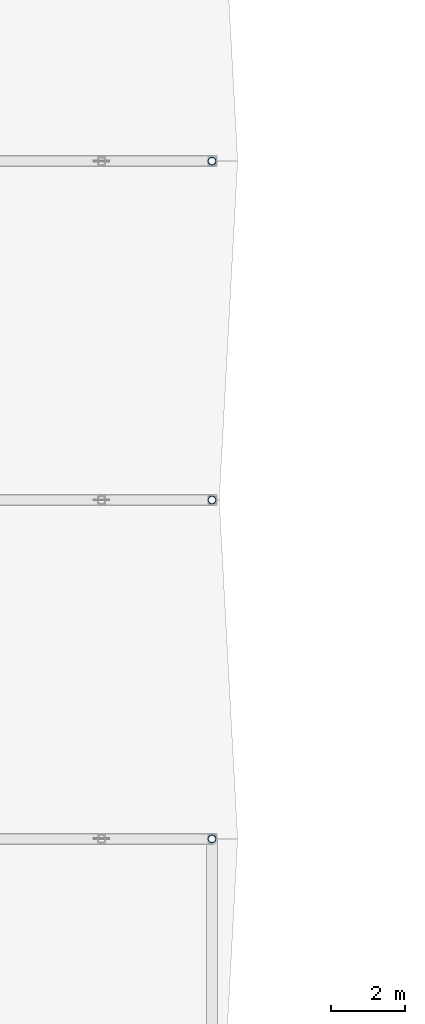
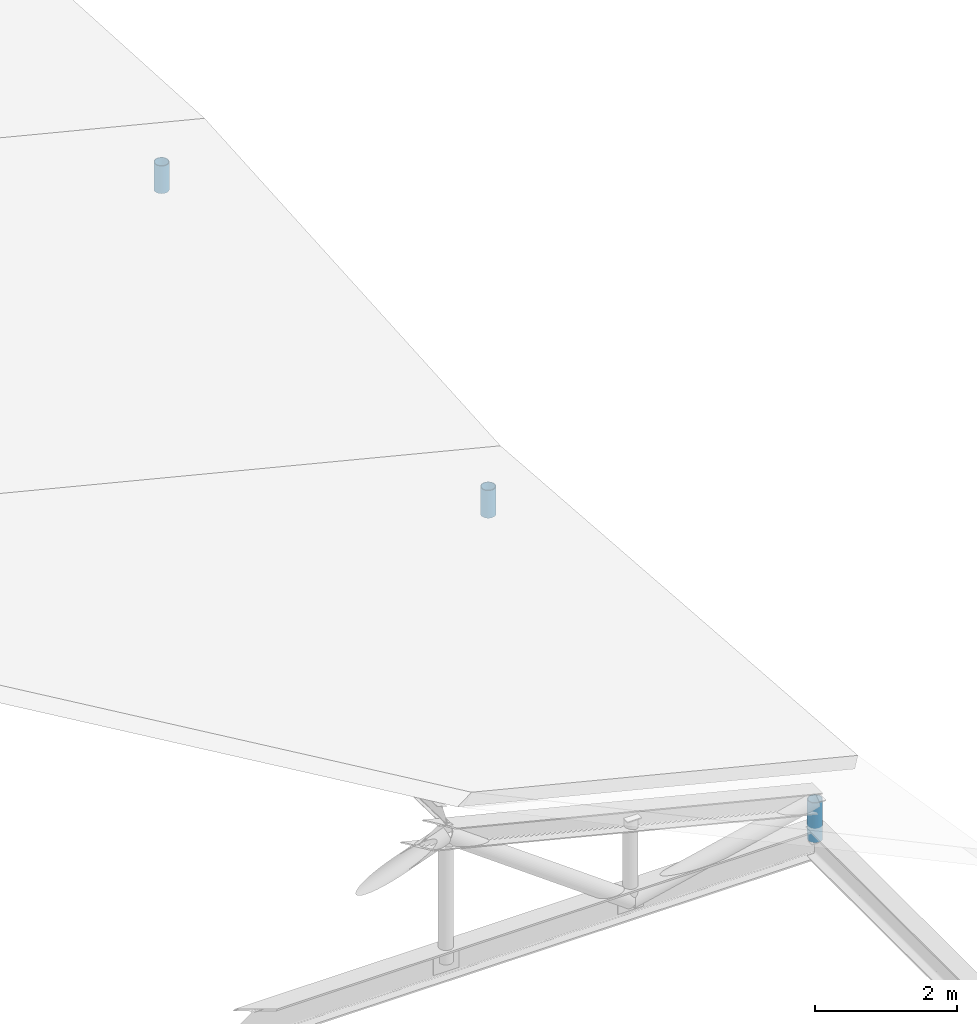
# One storey, part 31 of 61: 3 members.
"""IFC4 building model written with IfcOpenShell, lengths in metres."""

import ifcopenshell
import ifcopenshell.guid

model = None  # the IFC model being written
_history = None  # IfcOwnerHistory: only IFC2X3 demands one
_inside = {}  # id of a spatial element -> (the spatial element, [elements in it])
_under = {}  # id of a project, library or spatial element -> (it, [spatial elements below it])
_declared = {}  # id of a project -> (the project, [libraries it declares])
_typed = {}  # id of a type object -> (the type object, [elements of that type])
_made_of = {}  # id of a material, layer set ... -> (it, [elements and type objects made of it])


def new_model(schema):
    """Start an empty IFC model of exactly this schema.

    Asked for "IFC4X3", IfcOpenShell would pick the latest addendum, in which some entities
    have other attributes; the version numbers below select the first issue.
    IFC2X3 requires an IfcOwnerHistory on every rooted entity: one is made here for all.
    """
    global model, _history
    if schema == "IFC4X3":
        model = ifcopenshell.file(schema_version=(4, 3, 0, 0))
    else:
        model = ifcopenshell.file(schema=schema)
    _inside.clear()
    _under.clear()
    _declared.clear()
    _typed.clear()
    _made_of.clear()
    _history = None
    if model.schema == "IFC2X3":
        org = make("IfcOrganization", Name="unknown")
        user = make(
            "IfcPersonAndOrganization",
            ThePerson=make("IfcPerson", FamilyName="unknown"),
            TheOrganization=org,
        )
        app = make(
            "IfcApplication",
            ApplicationDeveloper=org,
            Version="unknown",
            ApplicationFullName="unknown",
            ApplicationIdentifier="unknown",
        )
        _history = make(
            "IfcOwnerHistory",
            OwningUser=user,
            OwningApplication=app,
            ChangeAction="ADDED",
            CreationDate=0,
        )
    return model


def make(cls, **values):
    """One entity of the class cls with the attributes given. An attribute that is None is left unset."""
    return model.create_entity(
        cls, **{name: value for name, value in values.items() if value is not None}
    )


def rooted(cls, **values):
    """An entity with a GlobalId (a new one), such as an element, a storey or a relation."""
    return make(cls, GlobalId=ifcopenshell.guid.new(), OwnerHistory=_history, **values)


def si_unit(unit_type, name, prefix=None):
    """IfcSIUnit, for example si_unit("LENGTHUNIT", "METRE", prefix="MILLI")."""
    return make("IfcSIUnit", UnitType=unit_type, Prefix=prefix, Name=name)


def assignment(units):
    """IfcUnitAssignment: the units of a project."""
    return None if units is None else make("IfcUnitAssignment", Units=units)


def point(xyz):
    """IfcCartesianPoint."""
    return None if xyz is None else make("IfcCartesianPoint", Coordinates=xyz)


def direction(xyz):
    """IfcDirection."""
    return None if xyz is None else make("IfcDirection", DirectionRatios=xyz)


def frame(location, z_axis=None, x_axis=None):
    """IfcAxis2Placement3D, a coordinate frame: its origin and axes. An axis left out is left unset."""
    return make(
        "IfcAxis2Placement3D",
        Location=point(location),
        Axis=direction(z_axis),
        RefDirection=direction(x_axis),
    )


def frame_2d(location, x_axis=None):
    """IfcAxis2Placement2D, a coordinate frame in the plane: its origin and x axis."""
    return make(
        "IfcAxis2Placement2D", Location=point(location), RefDirection=direction(x_axis)
    )


def origin():
    """The frame at (0, 0, 0) with its axes left unset."""
    return frame((0.0, 0.0, 0.0))


def origin_2d():
    """The frame at (0, 0) in the plane with its x axis left unset."""
    return frame_2d((0.0, 0.0))


def place(relative_to, where):
    """IfcLocalPlacement: puts the frame where relative to a parent placement (None: the world)."""
    return make(
        "IfcLocalPlacement", PlacementRelTo=relative_to, RelativePlacement=where
    )


def context(
    kind, dimensions, precision=None, world=None, true_north=None, identifier=None
):
    """IfcGeometricRepresentationContext, for example the 3D "Model" context."""
    return make(
        "IfcGeometricRepresentationContext",
        ContextIdentifier=identifier,
        ContextType=kind,
        CoordinateSpaceDimension=dimensions,
        Precision=precision,
        WorldCoordinateSystem=world,
        TrueNorth=true_north,
    )


def subcontext(parent, identifier, kind, view, scale=None):
    """IfcGeometricRepresentationSubContext, for example "Body" below "Model"."""
    return make(
        "IfcGeometricRepresentationSubContext",
        ContextIdentifier=identifier,
        ContextType=kind,
        ParentContext=parent,
        TargetScale=scale,
        TargetView=view,
    )


def project(units=None, contexts=None):
    """IfcProject with its units and contexts."""
    return rooted(
        "IfcProject",
        Name="project",
        RepresentationContexts=contexts,
        UnitsInContext=assignment(units),
    )


def spatial(cls, under=None, at=None, **own):
    """A site, building, storey or space (cls), placed at a placement, below another one or the project."""
    s = rooted(cls, ObjectPlacement=at, **own)
    if under is not None:
        _under.setdefault(under.id(), (under, []))[1].append(s)
    return s


def profile(cls, at=None, kind="AREA", **sizes):
    """A parametric profile (cls). Its sizes go by their IFC names, for example OverallWidth=200.0."""
    return make(cls, ProfileType=kind, Position=at, **sizes)


def hollow_circle(**sizes):
    """IfcCircleHollowProfileDef."""
    return profile("IfcCircleHollowProfileDef", **sizes)


def extrude(swept, where, along, depth):
    """IfcExtrudedAreaSolid: the profile swept, set in the frame where, extruded along a direction by depth."""
    return make(
        "IfcExtrudedAreaSolid",
        SweptArea=swept,
        Position=where,
        ExtrudedDirection=direction(along),
        Depth=depth,
    )


def shape(context_of_items, identifier, shape_type, items):
    """IfcShapeRepresentation: the items that make up one representation, for example the "Body"."""
    return make(
        "IfcShapeRepresentation",
        ContextOfItems=context_of_items,
        RepresentationIdentifier=identifier,
        RepresentationType=shape_type,
        Items=items,
    )


def material(Name=None, Category=None):
    """IfcMaterial."""
    return make("IfcMaterial", Name=Name, Category=Category)


def material_profile(
    of_material, cross_section, Name=None, Category=None, Priority=None
):
    """IfcMaterialProfile: a cross section and its material."""
    return make(
        "IfcMaterialProfile",
        Name=Name,
        Material=of_material,
        Profile=cross_section,
        Priority=Priority,
        Category=Category,
    )


def profile_set(profiles, Name=None, composite=None):
    """IfcMaterialProfileSet."""
    return make(
        "IfcMaterialProfileSet",
        Name=Name,
        MaterialProfiles=profiles,
        CompositeProfile=composite,
    )


def made_of(thing, what):
    """Note that an element or type object is made of a material, layer set ...; save() writes the relation."""
    if what is not None:
        _made_of.setdefault(what.id(), (what, []))[1].append(thing)
    return thing


def type_object(cls, material=None, **own):
    """A type object (cls), such as IfcWallType, which elements share."""
    return made_of(rooted(cls, **own), material)


def element(
    cls,
    number,
    at=None,
    inside=None,
    cuts=None,
    type_object=None,
    material=None,
    context=None,
    identifier="Body",
    shape_type=None,
    held_by="IfcProductDefinitionShape",
    body=None,
    shapes=None,
    **own,
):
    """One element of the class cls, such as IfcWall. Its Tag is "e" and its number.

    at: its placement. inside: the storey or other place that contains it. cuts: it is an
    opening in that element (IfcRelVoidsElement). A single representation is given by context,
    identifier, shape_type and body (its items); several are given by shapes. held_by: the class
    of the entity that holds the representations. save() writes the other relations.
    """
    e = rooted(cls, Tag="e%d" % number, ObjectPlacement=at, **own)
    if body is not None:
        shapes = [shape(context, identifier, shape_type, body)]
    if shapes is not None:
        e.Representation = make(held_by, Representations=shapes)
    if inside is not None:
        _inside.setdefault(inside.id(), (inside, []))[1].append(e)
    if cuts is not None:
        rooted(
            "IfcRelVoidsElement", RelatingBuildingElement=cuts, RelatedOpeningElement=e
        )
    if type_object is not None:
        _typed.setdefault(type_object.id(), (type_object, []))[1].append(e)
    return made_of(e, material)


def aggregate(whole, parts):
    """IfcRelAggregates: a whole, such as a stair, and the parts it consists of."""
    return rooted("IfcRelAggregates", RelatingObject=whole, RelatedObjects=parts)


def save(model, path):
    """Write the relations noted so far, then the file.

    IfcRelAggregates (storeys below a building ...), IfcRelContainedInSpatialStructure (elements
    in a storey), IfcRelDefinesByType, IfcRelAssociatesMaterial and IfcRelDeclares: one each for
    every whole, place, type object, material and project.
    """
    for whole, parts in _under.values():
        aggregate(whole, parts)
    for where, things in _inside.values():
        rooted(
            "IfcRelContainedInSpatialStructure",
            RelatedElements=things,
            RelatingStructure=where,
        )
    for kind, things in _typed.values():
        rooted("IfcRelDefinesByType", RelatedObjects=things, RelatingType=kind)
    for what, things in _made_of.values():
        rooted("IfcRelAssociatesMaterial", RelatedObjects=things, RelatingMaterial=what)
    for by, libraries in _declared.values():
        rooted("IfcRelDeclares", RelatingContext=by, RelatedDefinitions=libraries)
    model.write(path)


model = new_model("IFC4")

# Units and contexts
model_context = context("Model", 3, precision=1e-05, world=origin(), true_north=direction((0.0, 1.0)))
body_context = subcontext(model_context, "Body", "Model", "MODEL_VIEW")
ifc_project = project(units=[si_unit("LENGTHUNIT", "METRE"), si_unit("AREAUNIT", "SQUARE_METRE"), si_unit("VOLUMEUNIT", "CUBIC_METRE"), si_unit("PLANEANGLEUNIT", "RADIAN"), si_unit("MASSUNIT", "GRAM", prefix="KILO")], contexts=[model_context])

# Site, building, storey
site_placement = place(None, origin())
site = spatial("IfcSite", under=ifc_project, at=site_placement, CompositionType="ELEMENT")
building_placement = place(site_placement, origin())
building = spatial("IfcBuilding", under=site, at=building_placement, Name="Bozkorgan Art Gallery", CompositionType="ELEMENT")
storey_placement = place(building_placement, frame((0.0, 0.0, 10.199951171875)))
storey = spatial("IfcBuildingStorey", under=building, at=storey_placement, Name="L02", CompositionType="ELEMENT", Elevation=10.199951171875)

# Members
ifc_material = material(Name="Steel S355J2", Category="steel")
ifc_material_profile = material_profile(ifc_material, hollow_circle(Radius=0.109619140625, WallThickness=0.010009765625, at=origin_2d()), Name="CHS 219.1x10")
ifc_profile_set = profile_set([ifc_material_profile], Name="Steel S355J2")
member_type = type_object("IfcMemberType", Name="MEMBER-TP-78", PredefinedType="POST", material=ifc_profile_set)
member_placement = place(storey_placement, frame((23.0, 66.0, 0.25), z_axis=(0.0, 0.0, 1.0), x_axis=(1.0, 0.0, 0.0)))
element("IfcMember", 1, at=member_placement, inside=storey, type_object=member_type, Name="ROOF-V2-MAIN roof truss 3 post 5", PredefinedType="POST", context=body_context, shape_type="SweptSolid", body=[
    extrude(hollow_circle(Radius=0.109619140625, WallThickness=0.010009765625, at=origin_2d()), origin(), (0.0, 0.0, 1.0), 0.682373046875),
])
for number, where, z_axis, x_axis, name in (
    (2, (23.0, 75.199951171875, 0.25), (0.0, 0.0, 1.0), (1.0, 0.0, 0.0), "ROOF-V2-MAIN roof truss 4 post 5"),
    (3, (23.0, 84.39990234375, 0.25), (0.0, 0.0, 1.0), (1.0, 0.0, 0.0), "ROOF-V2-MAIN roof truss 5 post 5"),
):
    element("IfcMember", number, at=place(storey_placement, frame(where, z_axis=z_axis, x_axis=x_axis)), inside=storey, type_object=member_type, Name=name, PredefinedType="POST", context=body_context, shape_type="SweptSolid", body=[
        extrude(hollow_circle(Radius=0.109619140625, WallThickness=0.010009765625, at=origin_2d()), origin(), (0.0, 0.0, 1.0), 0.476318359375),
    ])

save(model, "model.ifc")
